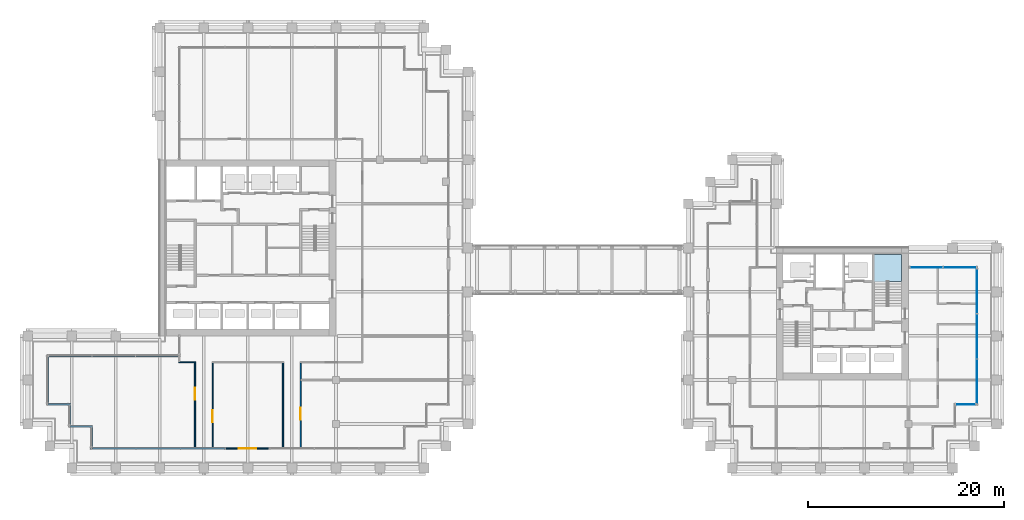
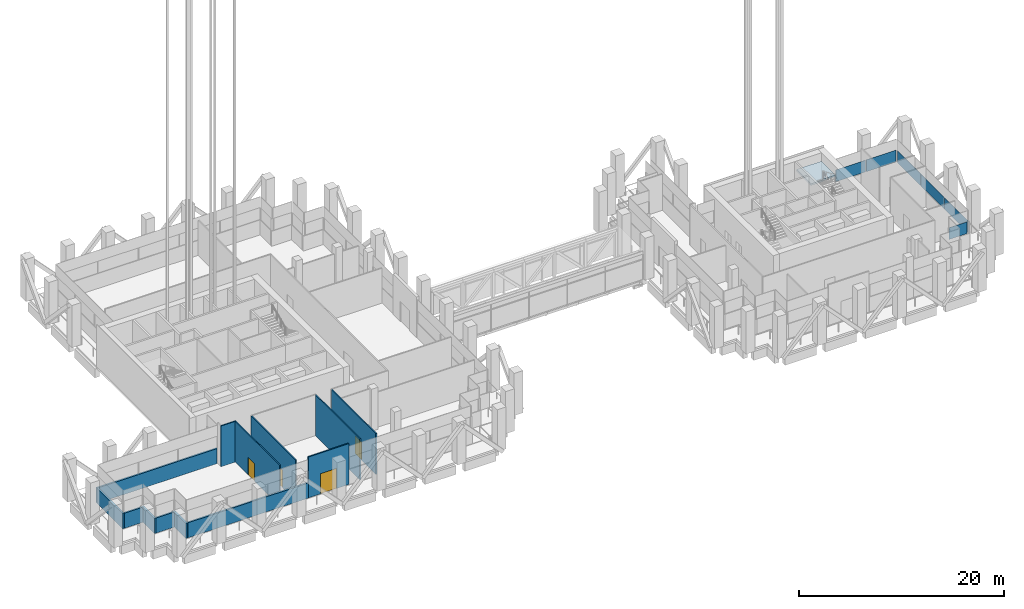
# One storey, part 32 of 48: 13 walls, 6 plates, 4 doors, 1 slab, 4 openings, 4 elements without a shape of their own.
"""IFC4 building model written with IfcOpenShell, lengths in metres."""

from ifc_helpers import new_model, si_unit, direction, frame, frame_2d, origin, origin_2d, place, context, subcontext, project, spatial, polyline, rectangle, outline, extrude, material, layer, layer_set, type_object, element, fill, aggregate, save


model = new_model("IFC4")

# Units and contexts
model_context = context("Model", 3, precision=1e-05, world=origin(), true_north=direction((0.0, 1.0)))
body_context = subcontext(model_context, "Body", "Model", "MODEL_VIEW")
ifc_project = project(units=[si_unit("LENGTHUNIT", "METRE"), si_unit("AREAUNIT", "SQUARE_METRE"), si_unit("VOLUMEUNIT", "CUBIC_METRE"), si_unit("PLANEANGLEUNIT", "RADIAN"), si_unit("MASSUNIT", "GRAM", prefix="KILO")], contexts=[model_context])

# Site, building, storey
site_placement = place(None, origin())
site = spatial("IfcSite", under=ifc_project, at=site_placement, CompositionType="ELEMENT")
building_placement = place(site_placement, origin())
building = spatial("IfcBuilding", under=site, at=building_placement, Name="Altepetl Exchange Towers", CompositionType="ELEMENT")
storey_placement = place(building_placement, frame((0.0, 0.0, 138.800048828125)))
storey = spatial("IfcBuildingStorey", under=building, at=storey_placement, Name="L34 Refuge and sky lobby", CompositionType="ELEMENT", Elevation=138.800048828125)

# Curtain wall, plate
ifc_material_1 = material(Name="Aluminium 6063-T6 glazing", Category="aluminium")
curtain_wall_type = type_object("IfcCurtainWallType", Name="Refuge slit glazing system", PredefinedType="NOTDEFINED", material=ifc_material_1)
curtain_wall_1_placement = place(storey_placement, origin())
curtain_wall_1 = element("IfcCurtainWall", 1, at=curtain_wall_1_placement, inside=storey, type_object=curtain_wall_type, Name="CW3 run", PredefinedType="NOTDEFINED")
ifc_material_2 = material(Name="Glass 8-20-8 solar control", Category="glass")
ifc_layer_1 = layer(ifc_material_2, 0.035888671875)
ifc_layer_set_1 = layer_set([ifc_layer_1], Name="Glass 8-20-8 solar control")
plate_type = type_object("IfcPlateType", Name="Glass panel 36 double glazed", PredefinedType="CURTAIN_PANEL", material=ifc_layer_set_1)
plate_1_placement = place(storey_placement, frame((122.824951171875, 33.5, 1.800048828125)))
plate_1 = element("IfcPlate", 2, at=plate_1_placement, type_object=plate_type, Name="GP2 panel", PredefinedType="CURTAIN_PANEL", context=body_context, shape_type="SweptSolid", body=[
    extrude(rectangle(XDim=2.030029296875, YDim=0.035888671875, at=origin_2d()), origin(), (0.0, 0.0, 1.0), 1.39990234375),
])
aggregate(curtain_wall_1, [plate_1])

# Curtain wall, plates
curtain_wall_2_placement = place(storey_placement, origin())
curtain_wall_2 = element("IfcCurtainWall", 3, at=curtain_wall_2_placement, inside=storey, type_object=curtain_wall_type, Name="CW3 run", PredefinedType="NOTDEFINED")
plate_2_placement = place(storey_placement, frame((124.0, 35.831787109375, 1.800048828125), z_axis=(0.0, 0.0, 1.0), x_axis=(0.0, 1.0, 0.0)))
plate_2 = element("IfcPlate", 4, at=plate_2_placement, type_object=plate_type, Name="GP2 panel", PredefinedType="CURTAIN_PANEL", context=body_context, shape_type="SweptSolid", body=[
    extrude(rectangle(XDim=4.543212890625, YDim=0.035888671875, at=origin_2d()), origin(), (0.0, 0.0, 1.0), 1.39990234375),
])
plate_3_placement = place(storey_placement, frame((124.0, 40.449951171875, 1.800048828125), z_axis=(0.0, 0.0, 1.0), x_axis=(0.0, 1.0, 0.0)))
plate_3 = element("IfcPlate", 5, at=plate_3_placement, type_object=plate_type, Name="GP2 panel", PredefinedType="CURTAIN_PANEL", context=body_context, shape_type="SweptSolid", body=[
    extrude(rectangle(XDim=4.5732421875, YDim=0.035888671875, at=origin_2d()), origin(), (0.0, 0.0, 1.0), 1.39990234375),
])
plate_4_placement = place(storey_placement, frame((124.0, 45.068359375, 1.800048828125), z_axis=(0.0, 0.0, 1.0), x_axis=(0.0, 1.0, 0.0)))
plate_4 = element("IfcPlate", 6, at=plate_4_placement, type_object=plate_type, Name="GP2 panel", PredefinedType="CURTAIN_PANEL", context=body_context, shape_type="SweptSolid", body=[
    extrude(rectangle(XDim=4.543212890625, YDim=0.035888671875, at=origin_2d()), origin(), (0.0, 0.0, 1.0), 1.39990234375),
])
aggregate(curtain_wall_2, [plate_2, plate_3, plate_4])

curtain_wall_3_placement = place(storey_placement, origin())
curtain_wall_3 = element("IfcCurtainWall", 7, at=curtain_wall_3_placement, inside=storey, type_object=curtain_wall_type, Name="CW3 run", PredefinedType="NOTDEFINED")
plate_5_placement = place(storey_placement, frame((122.260009765625, 47.5, 1.800048828125), z_axis=(0.0, 0.0, 1.0), x_axis=(-1.0, 0.0, 0.0)))
plate_5 = element("IfcPlate", 8, at=plate_5_placement, type_object=plate_type, Name="GP2 panel", PredefinedType="CURTAIN_PANEL", context=body_context, shape_type="SweptSolid", body=[
    extrude(rectangle(XDim=3.360107421875, YDim=0.035888671875, at=origin_2d()), origin(), (0.0, 0.0, 1.0), 1.39990234375),
])
plate_6_placement = place(storey_placement, frame((118.840087890625, 47.5, 1.800048828125), z_axis=(0.0, 0.0, 1.0), x_axis=(-1.0, 0.0, 0.0)))
plate_6 = element("IfcPlate", 9, at=plate_6_placement, type_object=plate_type, Name="GP2 panel", PredefinedType="CURTAIN_PANEL", context=body_context, shape_type="SweptSolid", body=[
    extrude(rectangle(XDim=3.360107421875, YDim=0.035888671875, at=origin_2d()), origin(), (0.0, 0.0, 1.0), 1.39990234375),
])
aggregate(curtain_wall_3, [plate_5, plate_6])

# Stair, slab
ifc_material_3 = material(Name="Concrete C40/50", Category="concrete")
stair_type = type_object("IfcStairType", Name="Exit stair 1350 flights dogleg", PredefinedType="HALF_TURN_STAIR", material=ifc_material_3)
stair_placement = place(storey_placement, origin())
stair = element("IfcStair", 10, at=stair_placement, inside=storey, type_object=stair_type, Name="Exit stair 2", PredefinedType="HALF_TURN_STAIR")
ifc_layer_2 = layer(ifc_material_3, 0.199951171875)
ifc_layer_set_2 = layer_set([ifc_layer_2], Name="Concrete C40/50")
slab_type = type_object("IfcSlabType", Name="Stair landing 200 reinforced concrete", PredefinedType="LANDING", material=ifc_layer_set_2)
slab_placement = place(storey_placement, frame((0.0, 0.0, 3.550048828125)))
slab = element("IfcSlab", 11, at=slab_placement, type_object=slab_type, Name="ST-B2d landing 3", PredefinedType="LANDING", context=body_context, shape_type="SweptSolid", body=[
    extrude(outline(polyline([(114.85009765625, 45.969970703125), (113.5, 45.969970703125), (113.5, 46.070068359375), (113.5, 48.800048828125), (116.300048828125, 48.800048828125), (116.300048828125, 46.070068359375), (116.300048828125, 46.0693359375), (114.949951171875, 46.0693359375), (114.949951171875, 46.070068359375), (114.85009765625, 46.070068359375), (114.85009765625, 45.969970703125)])), origin(), (0.0, 0.0, 1.0), 0.199951171875),
])
aggregate(stair, [slab])

# Wall, opening, door
ifc_material_4 = material(Name="Aluminium composite cladding", Category="aluminium")
ifc_layer_3 = layer(ifc_material_4, 0.14990234375)
ifc_layer_set_3 = layer_set([ifc_layer_3], Name="Aluminium composite cladding")
wall_type_1 = type_object("IfcWallType", Name="Infill wall 150 aluminium panel", PredefinedType="SOLIDWALL", material=ifc_layer_set_3)
wall_1_placement = place(storey_placement, frame((47.17138671875, 29.0, 0.0)))
wall_1 = element("IfcWall", 12, at=wall_1_placement, inside=storey, type_object=wall_type_1, Name="Loggia door bay wall", PredefinedType="SOLIDWALL", context=body_context, shape_type="SweptSolid", body=[
    extrude(rectangle(XDim=4.55712890625, YDim=0.14990234375, at=frame_2d((2.278564453125, 0.0))), origin(), (0.0, 0.0, 1.0), 4.849853515625),
])
opening_1_placement = place(wall_1_placement, frame((1.378662109375, 0.0, 0.0)))
opening_1 = element("IfcOpeningElement", 13, at=opening_1_placement, cuts=wall_1, Name="Opening L34.A90", PredefinedType="OPENING", context=body_context, shape_type="SweptSolid", body=[
    extrude(rectangle(XDim=1.800048828125, YDim=2.39990234375, at=frame_2d((0.89990234375, 1.199951171875))), frame((0.0, 0.0849609375, 0.0), z_axis=(0.0, -1.0, 0.0), x_axis=(1.0, 0.0, 0.0)), (0.0, 0.0, 1.0), 0.169921875),
])
ifc_material_5 = material(Name="Aluminium 6063-T6 and glass", Category="aluminium")
door_type_1 = type_object("IfcDoorType", Name="Glazed door pair 1800x2400", OperationType="DOUBLE_DOOR_DOUBLE_SWING", PredefinedType="NOTDEFINED", material=ifc_material_5)
door_1_placement = place(opening_1_placement, frame((1.800048828125, 0.0, 0.0), x_axis=(-1.0, 0.0, 0.0)))
door_1 = element("IfcDoor", 14, at=door_1_placement, inside=storey, type_object=door_type_1, Name="Loggia door", OperationType="DOUBLE_DOOR_DOUBLE_SWING", OverallHeight=2.39990234375, OverallWidth=1.800048828125, PredefinedType="NOTDEFINED", context=body_context, shape_type="SweptSolid", body=[
    extrude(rectangle(XDim=1.800048828125, YDim=2.39990234375, at=frame_2d((0.89990234375, 1.199951171875))), frame((0.0, 0.02490234375, 0.0), z_axis=(0.0, -1.0, 0.0), x_axis=(1.0, 0.0, 0.0)), (0.0, 0.0, 1.0), 0.050048828125),
])
fill(opening_1, door_1)

# Wall
ifc_material_6 = material(Name="Gypsum board on steel studs", Category="steel")
ifc_layer_4 = layer(ifc_material_6, 0.125)
ifc_layer_set_4 = layer_set([ifc_layer_4], Name="Gypsum board on steel studs")
wall_type_2 = type_object("IfcWallType", Name="Partition 125 gypsum board on steel studs", PredefinedType="PARTITIONING", material=ifc_layer_set_4)
wall_2_placement = place(storey_placement, frame((42.4375, 37.800048828125, 0.0)))
element("IfcWall", 15, at=wall_2_placement, inside=storey, type_object=wall_type_2, Name="wall:A:L34:P03", PredefinedType="PARTITIONING", context=body_context, shape_type="SweptSolid", body=[
    extrude(rectangle(XDim=1.72509765625, YDim=0.125, at=frame_2d((0.862548828125, 0.0))), origin(), (0.0, 0.0, 1.0), 4.849853515625),
])

# Wall, opening, door
wall_3_placement = place(storey_placement, frame((44.10009765625, 29.10009765625, 0.0), z_axis=(0.0, 0.0, 1.0), x_axis=(0.0, 1.0, 0.0)))
wall_3 = element("IfcWall", 16, at=wall_3_placement, inside=storey, type_object=wall_type_2, Name="wall:A:L34:P13", PredefinedType="PARTITIONING", context=body_context, shape_type="SweptSolid", body=[
    extrude(rectangle(XDim=8.637451171875, YDim=0.125, at=frame_2d((4.31884765625, 0.0))), origin(), (0.0, 0.0, 1.0), 4.849853515625),
])
opening_2_placement = place(wall_3_placement, frame((4.905029296875, 0.0, 0.0)))
opening_2 = element("IfcOpeningElement", 17, at=opening_2_placement, cuts=wall_3, Name="Opening L34.A03", PredefinedType="OPENING", context=body_context, shape_type="SweptSolid", body=[
    extrude(rectangle(XDim=1.199951171875, YDim=2.10009765625, at=frame_2d((0.60009765625, 1.050048828125))), frame((0.0, 0.072509765625, 0.0), z_axis=(0.0, -1.0, 0.0), x_axis=(1.0, 0.0, 0.0)), (0.0, 0.0, 1.0), 0.14501953125),
])
ifc_material_7 = material(Name="Steel and timber fire door", Category="steel")
door_type_2 = type_object("IfcDoorType", Name="Fire door 1200 x 2100 plant and refuge", OperationType="SINGLE_SWING_LEFT", PredefinedType="DOOR", material=ifc_material_7)
door_2_placement = place(opening_2_placement, origin())
door_2 = element("IfcDoor", 18, at=door_2_placement, inside=storey, type_object=door_type_2, Name="door:A:L34:03", OperationType="SINGLE_SWING_LEFT", OverallHeight=2.10009765625, OverallWidth=1.199951171875, PredefinedType="DOOR", context=body_context, shape_type="SweptSolid", body=[
    extrude(rectangle(XDim=1.199951171875, YDim=2.10009765625, at=frame_2d((0.60009765625, 1.050048828125))), frame((0.0, 0.02490234375, 0.0), z_axis=(0.0, -1.0, 0.0), x_axis=(1.0, 0.0, 0.0)), (0.0, 0.0, 1.0), 0.050048828125),
])
fill(opening_2, door_2)

wall_4_placement = place(storey_placement, frame((45.89990234375, 29.10009765625, 0.0), z_axis=(0.0, 0.0, 1.0), x_axis=(0.0, 1.0, 0.0)))
wall_4 = element("IfcWall", 19, at=wall_4_placement, inside=storey, type_object=wall_type_2, Name="wall:A:L34:P14", PredefinedType="PARTITIONING", context=body_context, shape_type="SweptSolid", body=[
    extrude(rectangle(XDim=8.637451171875, YDim=0.125, at=frame_2d((4.31884765625, 0.0))), origin(), (0.0, 0.0, 1.0), 4.849853515625),
])
opening_3_placement = place(wall_4_placement, frame((2.594970703125, 0.0, 0.0)))
opening_3 = element("IfcOpeningElement", 20, at=opening_3_placement, cuts=wall_4, Name="Opening L34.A02", PredefinedType="OPENING", context=body_context, shape_type="SweptSolid", body=[
    extrude(rectangle(XDim=1.199951171875, YDim=2.10009765625, at=frame_2d((0.60009765625, 1.050048828125))), frame((0.0, 0.072509765625, 0.0), z_axis=(0.0, -1.0, 0.0), x_axis=(1.0, 0.0, 0.0)), (0.0, 0.0, 1.0), 0.14501953125),
])
door_3_placement = place(opening_3_placement, frame((1.199951171875, 0.0, 0.0), x_axis=(-1.0, 0.0, 0.0)))
door_3 = element("IfcDoor", 21, at=door_3_placement, inside=storey, type_object=door_type_2, Name="door:A:L34:02", OperationType="SINGLE_SWING_LEFT", OverallHeight=2.10009765625, OverallWidth=1.199951171875, PredefinedType="DOOR", context=body_context, shape_type="SweptSolid", body=[
    extrude(rectangle(XDim=1.199951171875, YDim=2.10009765625, at=frame_2d((0.60009765625, 1.050048828125))), frame((0.0, 0.02490234375, 0.0), z_axis=(0.0, -1.0, 0.0), x_axis=(1.0, 0.0, 0.0)), (0.0, 0.0, 1.0), 0.050048828125),
])
fill(opening_3, door_3)

# Wall
wall_5_placement = place(storey_placement, frame((53.10009765625, 29.10009765625, 0.0), z_axis=(0.0, 0.0, 1.0), x_axis=(0.0, 1.0, 0.0)))
element("IfcWall", 22, at=wall_5_placement, inside=storey, type_object=wall_type_2, Name="wall:A:L34:P15", PredefinedType="PARTITIONING", context=body_context, shape_type="SweptSolid", body=[
    extrude(rectangle(XDim=8.637451171875, YDim=0.125, at=frame_2d((4.31884765625, 0.0))), origin(), (0.0, 0.0, 1.0), 4.849853515625),
])

# Wall, opening, door
wall_6_placement = place(storey_placement, frame((54.89990234375, 29.10009765625, 0.0), z_axis=(0.0, 0.0, 1.0), x_axis=(0.0, 1.0, 0.0)))
wall_6 = element("IfcWall", 23, at=wall_6_placement, inside=storey, type_object=wall_type_2, Name="wall:A:L34:P16", PredefinedType="PARTITIONING", context=body_context, shape_type="SweptSolid", body=[
    extrude(rectangle(XDim=8.637451171875, YDim=0.125, at=frame_2d((4.31884765625, 0.0))), origin(), (0.0, 0.0, 1.0), 4.849853515625),
])
opening_4_placement = place(wall_6_placement, frame((2.85009765625, 0.0, 0.0)))
opening_4 = element("IfcOpeningElement", 24, at=opening_4_placement, cuts=wall_6, Name="Opening L34.A01", PredefinedType="OPENING", context=body_context, shape_type="SweptSolid", body=[
    extrude(rectangle(XDim=1.199951171875, YDim=2.10009765625, at=frame_2d((0.60009765625, 1.050048828125))), frame((0.0, 0.072509765625, 0.0), z_axis=(0.0, -1.0, 0.0), x_axis=(1.0, 0.0, 0.0)), (0.0, 0.0, 1.0), 0.14501953125),
])
door_4_placement = place(opening_4_placement, frame((1.199951171875, 0.0, 0.0), x_axis=(-1.0, 0.0, 0.0)))
door_4 = element("IfcDoor", 25, at=door_4_placement, inside=storey, type_object=door_type_2, Name="door:A:L34:01", OperationType="SINGLE_SWING_LEFT", OverallHeight=2.10009765625, OverallWidth=1.199951171875, PredefinedType="DOOR", context=body_context, shape_type="SweptSolid", body=[
    extrude(rectangle(XDim=1.199951171875, YDim=2.10009765625, at=frame_2d((0.60009765625, 1.050048828125))), frame((0.0, 0.02490234375, 0.0), z_axis=(0.0, -1.0, 0.0), x_axis=(1.0, 0.0, 0.0)), (0.0, 0.0, 1.0), 0.050048828125),
])
fill(opening_4, door_4)

# Walls
ifc_material_8 = material(Name="Cantera limestone cladding", Category="masonry")
ifc_layer_5 = layer(ifc_material_8, 0.199951171875)
ifc_layer_set_5 = layer_set([ifc_layer_5], Name="Cantera limestone cladding")
wall_type_3 = type_object("IfcWallType", Name="Refuge stone wall 200", PredefinedType="ELEMENTEDWALL", material=ifc_layer_set_5)
wall_7_placement = place(storey_placement, frame((42.39990234375, 38.5, 0.0), z_axis=(0.0, 0.0, 1.0), x_axis=(-1.0, 0.0, 0.0)))
element("IfcWall", 26, at=wall_7_placement, inside=storey, type_object=wall_type_3, Name="Refuge stone wall", PredefinedType="ELEMENTEDWALL", context=body_context, shape_type="SweptSolid", body=[
    extrude(rectangle(XDim=13.5, YDim=0.199951171875, at=frame_2d((6.75, 0.0))), origin(), (0.0, 0.0, 1.0), 1.800048828125),
])
wall_8_placement = place(storey_placement, frame((29.0, 38.39990234375, 0.0), z_axis=(0.0, 0.0, 1.0), x_axis=(0.0, -1.0, 0.0)))
element("IfcWall", 27, at=wall_8_placement, inside=storey, type_object=wall_type_3, Name="Refuge stone wall", PredefinedType="ELEMENTEDWALL", context=body_context, shape_type="SweptSolid", body=[
    extrude(rectangle(XDim=5.0, YDim=0.199951171875, at=frame_2d((2.5, 0.0))), origin(), (0.0, 0.0, 1.0), 1.800048828125),
])
wall_9_placement = place(storey_placement, frame((29.10009765625, 33.5, 0.0)))
element("IfcWall", 28, at=wall_9_placement, inside=storey, type_object=wall_type_3, Name="Refuge stone wall", PredefinedType="ELEMENTEDWALL", context=body_context, shape_type="SweptSolid", body=[
    extrude(rectangle(XDim=2.25, YDim=0.199951171875, at=frame_2d((1.125, 0.0))), origin(), (0.0, 0.0, 1.0), 1.800048828125),
])
wall_10_placement = place(storey_placement, frame((31.25, 33.39990234375, 0.0), z_axis=(0.0, 0.0, 1.0), x_axis=(0.0, -1.0, 0.0)))
element("IfcWall", 29, at=wall_10_placement, inside=storey, type_object=wall_type_3, Name="Refuge stone wall", PredefinedType="ELEMENTEDWALL", context=body_context, shape_type="SweptSolid", body=[
    extrude(rectangle(XDim=2.25, YDim=0.199951171875, at=frame_2d((1.125, 0.0))), origin(), (0.0, 0.0, 1.0), 1.800048828125),
])
wall_11_placement = place(storey_placement, frame((31.35009765625, 31.25, 0.0)))
element("IfcWall", 30, at=wall_11_placement, inside=storey, type_object=wall_type_3, Name="Refuge stone wall", PredefinedType="ELEMENTEDWALL", context=body_context, shape_type="SweptSolid", body=[
    extrude(rectangle(XDim=2.25, YDim=0.199951171875, at=frame_2d((1.125, 0.0))), origin(), (0.0, 0.0, 1.0), 1.800048828125),
])
wall_12_placement = place(storey_placement, frame((33.5, 31.14990234375, 0.0), z_axis=(0.0, 0.0, 1.0), x_axis=(0.0, -1.0, 0.0)))
element("IfcWall", 31, at=wall_12_placement, inside=storey, type_object=wall_type_3, Name="Refuge stone wall", PredefinedType="ELEMENTEDWALL", context=body_context, shape_type="SweptSolid", body=[
    extrude(rectangle(XDim=2.25, YDim=0.199951171875, at=frame_2d((1.125, 0.0))), origin(), (0.0, 0.0, 1.0), 1.800048828125),
])
wall_13_placement = place(storey_placement, frame((33.60009765625, 29.0, 0.0)))
element("IfcWall", 32, at=wall_13_placement, inside=storey, type_object=wall_type_3, Name="Refuge stone wall", PredefinedType="ELEMENTEDWALL", context=body_context, shape_type="SweptSolid", body=[
    extrude(rectangle(XDim=13.5712890625, YDim=0.199951171875, at=frame_2d((6.78564453125, 0.0))), origin(), (0.0, 0.0, 1.0), 1.800048828125),
])

save(model, "model.ifc")
